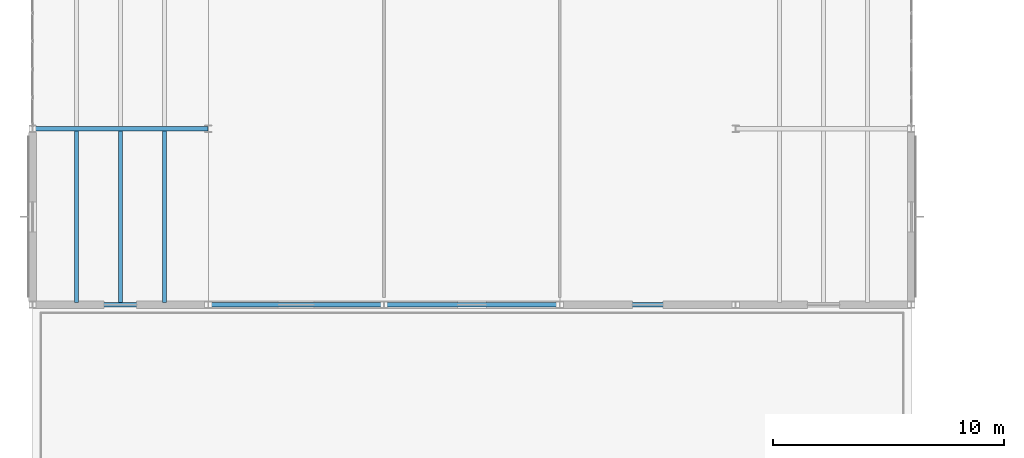
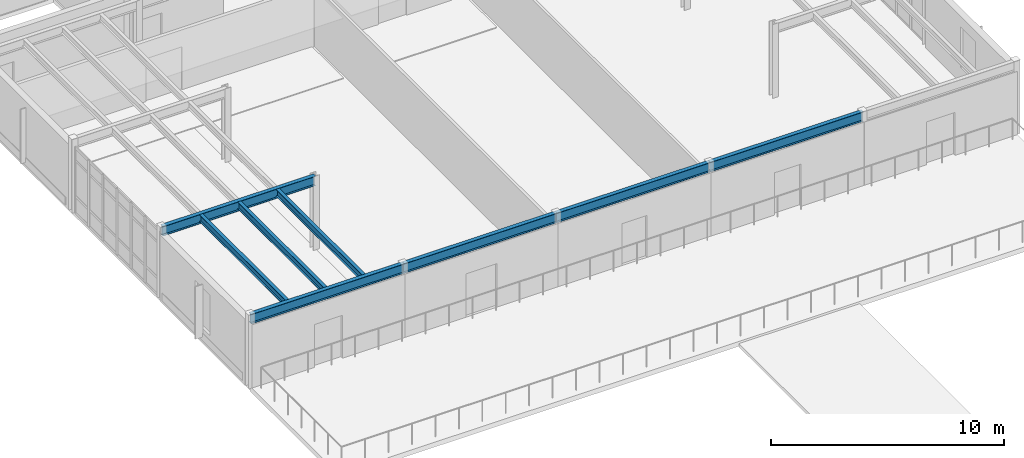
# One storey, part 31 of 114: 8 beams.
"""IFC4 building model written with IfcOpenShell, lengths in metres."""

from ifc_helpers import new_model, si_unit, direction, frame, origin, origin_2d, place, context, subcontext, project, spatial, i_section, extrude, material, material_profile, profile_set, type_object, element, save


model = new_model("IFC4")

# Units and contexts
model_context = context("Model", 3, precision=1e-05, world=origin(), true_north=direction((0.0, 1.0)))
body_context = subcontext(model_context, "Body", "Model", "MODEL_VIEW")
ifc_project = project(units=[si_unit("LENGTHUNIT", "METRE"), si_unit("AREAUNIT", "SQUARE_METRE"), si_unit("VOLUMEUNIT", "CUBIC_METRE"), si_unit("PLANEANGLEUNIT", "RADIAN"), si_unit("MASSUNIT", "GRAM", prefix="KILO")], contexts=[model_context])

# Site, building, storey
site_placement = place(None, origin())
site = spatial("IfcSite", under=ifc_project, at=site_placement, CompositionType="ELEMENT")
building_placement = place(site_placement, origin())
building = spatial("IfcBuilding", under=site, at=building_placement, Name="Montecoro Central Library", CompositionType="ELEMENT")
storey_placement = place(building_placement, frame((0.0, 0.0, 13.260009765625)))
storey = spatial("IfcBuildingStorey", under=building, at=storey_placement, Name="L03", CompositionType="ELEMENT", Elevation=13.260009765625)

# Beams
ifc_material = material(Name="Steel S355", Category="steel")
ifc_material_profile_1 = material_profile(ifc_material, i_section(OverallWidth=0.199951171875, OverallDepth=0.5, WebThickness=0.01025390625, FlangeThickness=0.01611328125, at=origin_2d()), Name="IPE 500")
ifc_profile_set_1 = profile_set([ifc_material_profile_1], Name="Steel S355")
beam_type_1 = type_object("IfcBeamType", Name="BM-G-IPE500", PredefinedType="USERDEFINED", material=ifc_profile_set_1)
for number, where, z_axis, x_axis, name in (
    (1, (5.0048828125, 81.0, 3.574951171875), (1.0, 0.0, 0.0), (0.0, 1.0, 0.0), "V4-L03-BX-12-L"),
    (2, (12.60498046875, 81.0, 3.574951171875), (1.0, 0.0, 0.0), (0.0, 1.0, 0.0), "V4-L03-BX-23-L"),
):
    element("IfcBeam", number, at=place(storey_placement, frame(where, z_axis=z_axis, x_axis=x_axis)), inside=storey, type_object=beam_type_1, Name=name, ObjectType="GIRDER", PredefinedType="USERDEFINED", context=body_context, shape_type="SweptSolid", body=[
        extrude(i_section(OverallWidth=0.199951171875, OverallDepth=0.5, WebThickness=0.01025390625, FlangeThickness=0.01611328125, at=origin_2d()), origin(), (0.0, 0.0, 1.0), 7.590087890625),
    ])
beam_placement = place(storey_placement, frame((20.205078125, 81.0, 3.574951171875), z_axis=(1.0, 0.0, 0.0), x_axis=(0.0, 1.0, 0.0)))
element("IfcBeam", 3, at=beam_placement, inside=storey, type_object=beam_type_1, Name="V4-L03-BX-34-L", ObjectType="GIRDER", PredefinedType="USERDEFINED", context=body_context, shape_type="SweptSolid", body=[
    extrude(i_section(OverallWidth=0.199951171875, OverallDepth=0.5, WebThickness=0.01025390625, FlangeThickness=0.01611328125, at=origin_2d()), origin(), (0.0, 0.0, 1.0), 7.58984375),
])
for number, where, z_axis, x_axis, name in (
    (4, (27.804931640625, 81.0, 3.574951171875), (1.0, 0.0, 0.0), (0.0, 1.0, 0.0), "V4-L03-BX-45-L"),
    (5, (5.0048828125, 88.60009765625, 3.574951171875), (1.0, 0.0, 0.0), (0.0, 1.0, 0.0), "V4-L03-BX-12-M"),
):
    element("IfcBeam", number, at=place(storey_placement, frame(where, z_axis=z_axis, x_axis=x_axis)), inside=storey, type_object=beam_type_1, Name=name, ObjectType="GIRDER", PredefinedType="USERDEFINED", context=body_context, shape_type="SweptSolid", body=[
        extrude(i_section(OverallWidth=0.199951171875, OverallDepth=0.5, WebThickness=0.01025390625, FlangeThickness=0.01611328125, at=origin_2d()), origin(), (0.0, 0.0, 1.0), 7.590087890625),
    ])
ifc_material_profile_2 = material_profile(ifc_material, i_section(OverallWidth=0.169921875, OverallDepth=0.360107421875, WebThickness=0.008056640625, FlangeThickness=0.0126953125, at=origin_2d()), Name="IPE 360")
ifc_profile_set_2 = profile_set([ifc_material_profile_2], Name="Steel S355")
beam_type_2 = type_object("IfcBeamType", Name="BM-J-IPE360", PredefinedType="JOIST", material=ifc_profile_set_2)
for number, where, z_axis, x_axis, name in (
    (6, (6.89990234375, 81.096923828125, 3.64501953125), (0.0, 1.0, 0.0), (-1.0, 0.0, 0.0), "V4-L03-JS-12-LM-1"),
    (7, (8.800048828125, 81.096923828125, 3.64501953125), (0.0, 1.0, 0.0), (-1.0, 0.0, 0.0), "V4-L03-JS-12-LM-2"),
    (8, (10.699951171875, 81.096923828125, 3.64501953125), (0.0, 1.0, 0.0), (-1.0, 0.0, 0.0), "V4-L03-JS-12-LM-3"),
):
    element("IfcBeam", number, at=place(storey_placement, frame(where, z_axis=z_axis, x_axis=x_axis)), inside=storey, type_object=beam_type_2, Name=name, PredefinedType="JOIST", context=body_context, shape_type="SweptSolid", body=[
        extrude(i_section(OverallWidth=0.169921875, OverallDepth=0.360107421875, WebThickness=0.008056640625, FlangeThickness=0.0126953125, at=origin_2d()), origin(), (0.0, 0.0, 1.0), 7.406005859375),
    ])

save(model, "model.ifc")
